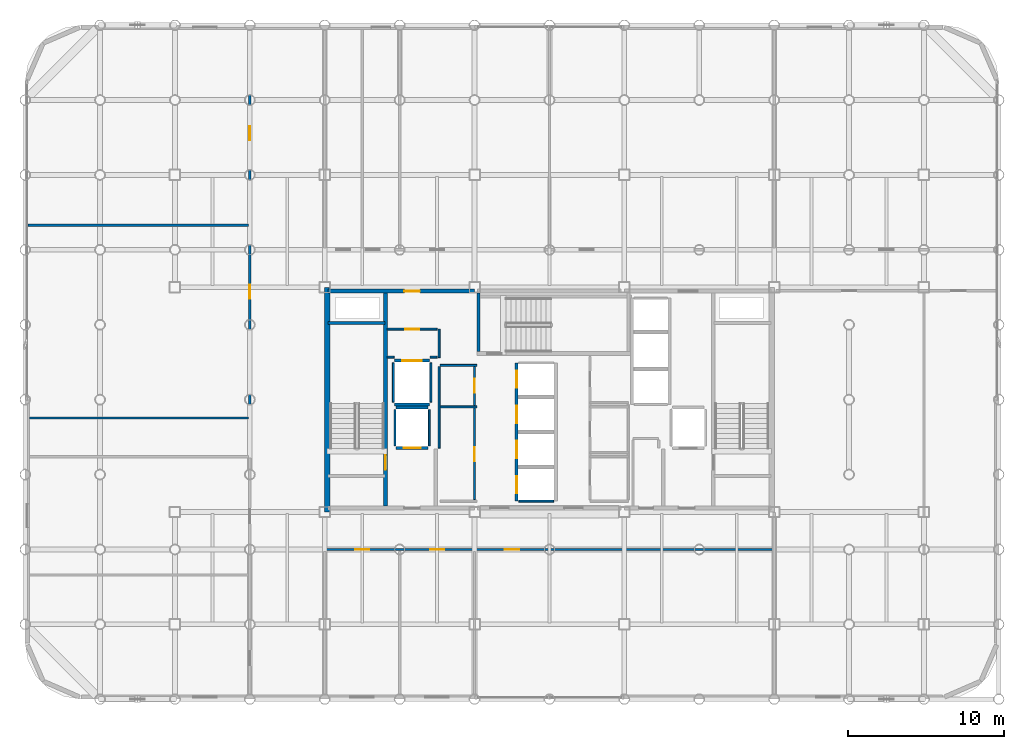
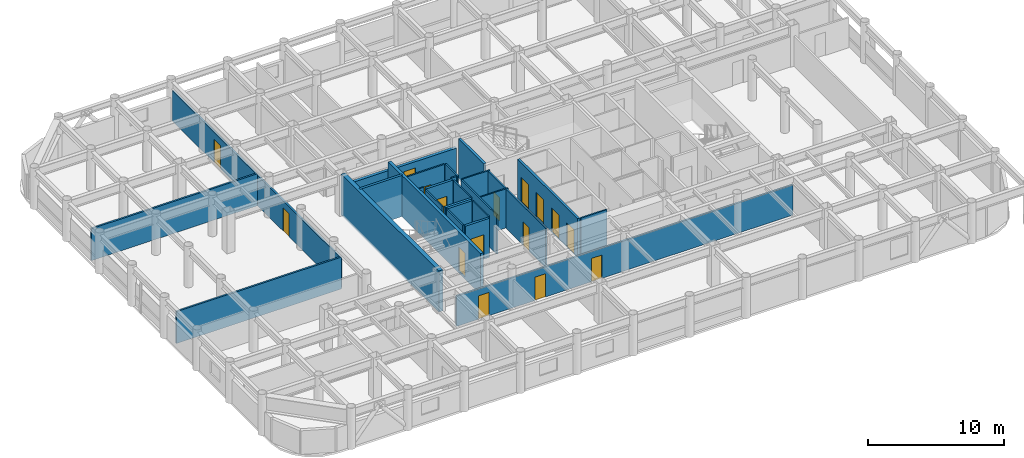
# One storey, part 16 of 19: 27 walls, 16 doors, 16 openings.
"""IFC4 building model written with IfcOpenShell, lengths in metres."""

from ifc_helpers import new_model, si_unit, direction, frame, frame_2d, origin, place, context, subcontext, project, spatial, rectangle, extrude, material, layer, layer_set, type_object, element, fill, save


model = new_model("IFC4")

# Units and contexts
model_context = context("Model", 3, precision=1e-05, world=origin(), true_north=direction((0.0, 1.0)))
body_context = subcontext(model_context, "Body", "Model", "MODEL_VIEW")
ifc_project = project(units=[si_unit("LENGTHUNIT", "METRE"), si_unit("AREAUNIT", "SQUARE_METRE"), si_unit("VOLUMEUNIT", "CUBIC_METRE"), si_unit("PLANEANGLEUNIT", "RADIAN"), si_unit("MASSUNIT", "GRAM", prefix="KILO")], contexts=[model_context])

# Site, building, storey
site_placement = place(None, origin())
site = spatial("IfcSite", under=ifc_project, at=site_placement, CompositionType="ELEMENT")
building_placement = place(site_placement, origin())
building = spatial("IfcBuilding", under=site, at=building_placement, Name="Kallvorn Hotel Tower", CompositionType="ELEMENT")
storey_placement = place(building_placement, frame((0.0, 0.0, 147.0)))
storey = spatial("IfcBuildingStorey", under=building, at=storey_placement, Name="L36", CompositionType="ELEMENT", Elevation=147.0)

# Walls
ifc_material_1 = material(Name="Concrete C50/60", Category="concrete")
ifc_layer_1 = layer(ifc_material_1, 0.35009765625)
ifc_layer_set_1 = layer_set([ifc_layer_1], Name="WL_CORE_350")
wall_type_1 = type_object("IfcWallType", Name="WL_CORE_350", PredefinedType="SHEAR", material=ifc_layer_set_1)
wall_1_placement = place(storey_placement, frame((-14.239990234375, -7.199951171875, -0.179931640625), z_axis=(0.0, 0.0, 1.0), x_axis=(0.0, 1.0, 0.0)))
element("IfcWall", 1, at=wall_1_placement, inside=storey, type_object=wall_type_1, Name="L36 Core West Shear Wall", PredefinedType="SHEAR", context=body_context, shape_type="SweptSolid", body=[
    extrude(rectangle(XDim=14.39990234375, YDim=0.35009765625, at=frame_2d((7.199951171875, 0.0))), origin(), (0.0, 0.0, 1.0), 3.699951171875),
])
ifc_material_2 = material(Name="Concrete C40/50", Category="concrete")
ifc_layer_2 = layer(ifc_material_2, 0.199951171875)
ifc_layer_set_2 = layer_set([ifc_layer_2], Name="WL_HOIST_200")
wall_type_2 = type_object("IfcWallType", Name="WL_HOIST_200", PredefinedType="SOLIDWALL", material=ifc_layer_set_2)
wall_2_placement = place(storey_placement, frame((-14.199951171875, 4.89990234375, -0.179931640625), z_axis=(0.0, 0.0, 1.0), x_axis=(1.0, 0.0, 0.0)))
element("IfcWall", 2, at=wall_2_placement, inside=storey, type_object=wall_type_2, Name="L36 Stair ST1 North Wall", PredefinedType="SOLIDWALL", context=body_context, shape_type="SweptSolid", body=[
    extrude(rectangle(XDim=3.64990234375, YDim=0.199951171875, at=frame_2d((1.824951171875, 0.0))), origin(), (0.0, 0.0, 1.0), 3.699951171875),
])
wall_3_placement = place(storey_placement, frame((-4.550048828125, 3.080078125, -0.179931640625), z_axis=(0.0, 0.0, 1.0), x_axis=(0.0, 1.0, 0.0)))
element("IfcWall", 3, at=wall_3_placement, inside=storey, type_object=wall_type_2, Name="L36 Stair ST3 West Wall", PredefinedType="SOLIDWALL", context=body_context, shape_type="SweptSolid", body=[
    extrude(rectangle(XDim=3.739990234375, YDim=0.199951171875, at=frame_2d((1.8701171875, 0.0))), origin(), (0.0, 0.0, 1.0), 3.699951171875),
])

# Wall, openings, doors
wall_4_placement = place(storey_placement, frame((-2.10009765625, -6.5, 0.0), z_axis=(0.0, 0.0, 1.0), x_axis=(0.0, 1.0, 0.0)))
wall_4 = element("IfcWall", 4, at=wall_4_placement, inside=storey, type_object=wall_type_2, Name="L36 Lift Bank B2 Landing Wall", PredefinedType="SOLIDWALL", context=body_context, shape_type="SweptSolid", body=[
    extrude(rectangle(XDim=8.85009765625, YDim=0.199951171875, at=frame_2d((4.425048828125, 0.0))), origin(), (0.0, 0.0, 1.0), 3.52001953125),
])
opening_1_placement = place(wall_4_placement, frame((0.5, 0.0, 0.0)))
opening_1 = element("IfcOpeningElement", 5, at=opening_1_placement, cuts=wall_4, Name="Opening LD-PL-05", PredefinedType="OPENING", context=body_context, shape_type="SweptSolid", body=[
    extrude(rectangle(XDim=1.10009765625, YDim=2.199951171875, at=frame_2d((0.550048828125, 1.10009765625))), frame((0.0, 0.114990234375, 0.0), z_axis=(0.0, -1.0, 0.0), x_axis=(1.0, 0.0, 0.0)), (0.0, 0.0, 1.0), 0.22998046875),
])
opening_2_placement = place(wall_4_placement, frame((2.75, 0.0, 0.0)))
opening_2 = element("IfcOpeningElement", 6, at=opening_2_placement, cuts=wall_4, Name="Opening LD-PL-06", PredefinedType="OPENING", context=body_context, shape_type="SweptSolid", body=[
    extrude(rectangle(XDim=1.10009765625, YDim=2.199951171875, at=frame_2d((0.550048828125, 1.10009765625))), frame((0.0, 0.114990234375, 0.0), z_axis=(0.0, -1.0, 0.0), x_axis=(1.0, 0.0, 0.0)), (0.0, 0.0, 1.0), 0.22998046875),
])
opening_3_placement = place(wall_4_placement, frame((5.0, 0.0, 0.0)))
opening_3 = element("IfcOpeningElement", 7, at=opening_3_placement, cuts=wall_4, Name="Opening LD-PL-07", PredefinedType="OPENING", context=body_context, shape_type="SweptSolid", body=[
    extrude(rectangle(XDim=1.10009765625, YDim=2.199951171875, at=frame_2d((0.550048828125, 1.10009765625))), frame((0.0, 0.114990234375, 0.0), z_axis=(0.0, -1.0, 0.0), x_axis=(1.0, 0.0, 0.0)), (0.0, 0.0, 1.0), 0.22998046875),
])
opening_4_placement = place(wall_4_placement, frame((7.25, 0.0, 0.0)))
opening_4 = element("IfcOpeningElement", 8, at=opening_4_placement, cuts=wall_4, Name="Opening LD-PL-08", PredefinedType="OPENING", context=body_context, shape_type="SweptSolid", body=[
    extrude(rectangle(XDim=1.10009765625, YDim=2.199951171875, at=frame_2d((0.550048828125, 1.10009765625))), frame((0.0, 0.114990234375, 0.0), z_axis=(0.0, -1.0, 0.0), x_axis=(1.0, 0.0, 0.0)), (0.0, 0.0, 1.0), 0.22998046875),
])
ifc_material_3 = material(Name="Brushed stainless-steel automatic sliding lift landing door", Category="steel")
door_type_1 = type_object("IfcDoorType", Name="LD_PASS_1100x2200", OperationType="SLIDING_TO_LEFT", PredefinedType="DOOR", material=ifc_material_3)
door_1_placement = place(opening_1_placement, origin())
door_1 = element("IfcDoor", 9, at=door_1_placement, inside=storey, type_object=door_type_1, Name="L36 Lift Landing Sliding Door LD-PL-05", OperationType="SLIDING_TO_LEFT", OverallHeight=2.199951171875, OverallWidth=1.10009765625, PredefinedType="DOOR", context=body_context, shape_type="SweptSolid", body=[
    extrude(rectangle(XDim=1.10009765625, YDim=2.199951171875, at=frame_2d((0.550048828125, 1.10009765625))), frame((0.0, 0.02490234375, 0.0), z_axis=(0.0, -1.0, 0.0), x_axis=(1.0, 0.0, 0.0)), (0.0, 0.0, 1.0), 0.050048828125),
])
fill(opening_1, door_1)
door_2_placement = place(opening_2_placement, origin())
door_2 = element("IfcDoor", 10, at=door_2_placement, inside=storey, type_object=door_type_1, Name="L36 Lift Landing Sliding Door LD-PL-06", OperationType="SLIDING_TO_LEFT", OverallHeight=2.199951171875, OverallWidth=1.10009765625, PredefinedType="DOOR", context=body_context, shape_type="SweptSolid", body=[
    extrude(rectangle(XDim=1.10009765625, YDim=2.199951171875, at=frame_2d((0.550048828125, 1.10009765625))), frame((0.0, 0.02490234375, 0.0), z_axis=(0.0, -1.0, 0.0), x_axis=(1.0, 0.0, 0.0)), (0.0, 0.0, 1.0), 0.050048828125),
])
fill(opening_2, door_2)
door_3_placement = place(opening_3_placement, origin())
door_3 = element("IfcDoor", 11, at=door_3_placement, inside=storey, type_object=door_type_1, Name="L36 Lift Landing Sliding Door LD-PL-07", OperationType="SLIDING_TO_LEFT", OverallHeight=2.199951171875, OverallWidth=1.10009765625, PredefinedType="DOOR", context=body_context, shape_type="SweptSolid", body=[
    extrude(rectangle(XDim=1.10009765625, YDim=2.199951171875, at=frame_2d((0.550048828125, 1.10009765625))), frame((0.0, 0.02490234375, 0.0), z_axis=(0.0, -1.0, 0.0), x_axis=(1.0, 0.0, 0.0)), (0.0, 0.0, 1.0), 0.050048828125),
])
fill(opening_3, door_3)
door_4_placement = place(opening_4_placement, origin())
door_4 = element("IfcDoor", 12, at=door_4_placement, inside=storey, type_object=door_type_1, Name="L36 Lift Landing Sliding Door LD-PL-08", OperationType="SLIDING_TO_LEFT", OverallHeight=2.199951171875, OverallWidth=1.10009765625, PredefinedType="DOOR", context=body_context, shape_type="SweptSolid", body=[
    extrude(rectangle(XDim=1.10009765625, YDim=2.199951171875, at=frame_2d((0.550048828125, 1.10009765625))), frame((0.0, 0.02490234375, 0.0), z_axis=(0.0, -1.0, 0.0), x_axis=(1.0, 0.0, 0.0)), (0.0, 0.0, 1.0), 0.050048828125),
])
fill(opening_4, door_4)

# Wall, opening, door
wall_5_placement = place(storey_placement, frame((-9.820068359375, -3.10009765625, 0.0), z_axis=(0.0, 0.0, 1.0), x_axis=(1.0, 0.0, 0.0)))
wall_5 = element("IfcWall", 13, at=wall_5_placement, inside=storey, type_object=wall_type_2, Name="L36 FL-1 Landing Wall", PredefinedType="SOLIDWALL", context=body_context, shape_type="SweptSolid", body=[
    extrude(rectangle(XDim=2.0400390625, YDim=0.199951171875, at=frame_2d((1.02001953125, 0.0))), origin(), (0.0, 0.0, 1.0), 3.52001953125),
])
opening_5_placement = place(wall_5_placement, frame((0.469970703125, 0.0, 0.0)))
opening_5 = element("IfcOpeningElement", 14, at=opening_5_placement, cuts=wall_5, Name="Opening LD-FL-1", PredefinedType="OPENING", context=body_context, shape_type="SweptSolid", body=[
    extrude(rectangle(XDim=1.10009765625, YDim=2.199951171875, at=frame_2d((0.550048828125, 1.10009765625))), frame((0.0, 0.114990234375, 0.0), z_axis=(0.0, -1.0, 0.0), x_axis=(1.0, 0.0, 0.0)), (0.0, 0.0, 1.0), 0.22998046875),
])
door_5_placement = place(opening_5_placement, origin())
door_5 = element("IfcDoor", 15, at=door_5_placement, inside=storey, type_object=door_type_1, Name="L36 Lift Landing Sliding Door LD-FL-1", OperationType="SLIDING_TO_LEFT", OverallHeight=2.199951171875, OverallWidth=1.10009765625, PredefinedType="DOOR", context=body_context, shape_type="SweptSolid", body=[
    extrude(rectangle(XDim=1.10009765625, YDim=2.199951171875, at=frame_2d((0.550048828125, 1.10009765625))), frame((0.0, 0.02490234375, 0.0), z_axis=(0.0, -1.0, 0.0), x_axis=(1.0, 0.0, 0.0)), (0.0, 0.0, 1.0), 0.050048828125),
])
fill(opening_5, door_5)

# Wall
wall_6_placement = place(storey_placement, frame((-9.820068359375, -0.5, 0.0), z_axis=(0.0, 0.0, 1.0), x_axis=(1.0, 0.0, 0.0)))
element("IfcWall", 16, at=wall_6_placement, inside=storey, type_object=wall_type_2, Name="L36 FL-1 Rear Shaft Wall", PredefinedType="SOLIDWALL", context=body_context, shape_type="SweptSolid", body=[
    extrude(rectangle(XDim=2.0400390625, YDim=0.199951171875, at=frame_2d((1.02001953125, 0.0))), origin(), (0.0, 0.0, 1.0), 3.52001953125),
])

# Wall, opening, door
wall_7_placement = place(storey_placement, frame((-9.919921875, 2.5, 0.0), z_axis=(0.0, 0.0, 1.0), x_axis=(1.0, 0.0, 0.0)))
wall_7 = element("IfcWall", 17, at=wall_7_placement, inside=storey, type_object=wall_type_2, Name="L36 SV-01 Landing Wall", PredefinedType="SOLIDWALL", context=body_context, shape_type="SweptSolid", body=[
    extrude(rectangle(XDim=2.239990234375, YDim=0.199951171875, at=frame_2d((1.1201171875, 0.0))), origin(), (0.0, 0.0, 1.0), 3.52001953125),
])
opening_6_placement = place(wall_7_placement, frame((0.4951171875, 0.0, 0.0)))
opening_6 = element("IfcOpeningElement", 18, at=opening_6_placement, cuts=wall_7, Name="Opening LD-SV-01", PredefinedType="OPENING", context=body_context, shape_type="SweptSolid", body=[
    extrude(rectangle(XDim=1.25, YDim=2.25, at=frame_2d((0.625, 1.125))), frame((0.0, 0.114990234375, 0.0), z_axis=(0.0, -1.0, 0.0), x_axis=(1.0, 0.0, 0.0)), (0.0, 0.0, 1.0), 0.22998046875),
])
ifc_material_4 = material(Name="Brushed stainless-steel automatic sliding lift landing door", Category="steel")
door_type_2 = type_object("IfcDoorType", Name="LD_SERV_1250x2250", OperationType="SLIDING_TO_LEFT", PredefinedType="DOOR", material=ifc_material_4)
door_6_placement = place(opening_6_placement, origin())
door_6 = element("IfcDoor", 19, at=door_6_placement, inside=storey, type_object=door_type_2, Name="L36 Lift Landing Sliding Door LD-SV-01", OperationType="SLIDING_TO_LEFT", OverallHeight=2.25, OverallWidth=1.25, PredefinedType="DOOR", context=body_context, shape_type="SweptSolid", body=[
    extrude(rectangle(XDim=1.25, YDim=2.25, at=frame_2d((0.625, 1.125))), frame((0.0, 0.02490234375, 0.0), z_axis=(0.0, -1.0, 0.0), x_axis=(1.0, 0.0, 0.0)), (0.0, 0.0, 1.0), 0.050048828125),
])
fill(opening_6, door_6)

# Walls
wall_8_placement = place(storey_placement, frame((-9.919921875, -0.300048828125, 0.0), z_axis=(0.0, 0.0, 1.0), x_axis=(1.0, 0.0, 0.0)))
element("IfcWall", 20, at=wall_8_placement, inside=storey, type_object=wall_type_2, Name="L36 SV-01 Rear Shaft Wall", PredefinedType="SOLIDWALL", context=body_context, shape_type="SweptSolid", body=[
    extrude(rectangle(XDim=2.239990234375, YDim=0.199951171875, at=frame_2d((1.1201171875, 0.0))), origin(), (0.0, 0.0, 1.0), 3.52001953125),
])
ifc_material_5 = material(Name="Fire-rated double-layer acoustic gypsum drywall EI 60")
ifc_layer_3 = layer(ifc_material_5, 0.1201171875)
ifc_layer_set_3 = layer_set([ifc_layer_3], Name="WL_INT_120")
wall_type_3 = type_object("IfcWallType", Name="WL_INT_120", PredefinedType="PARTITIONING", material=ifc_layer_set_3)
wall_9_placement = place(storey_placement, frame((-1.9599609375, -6.5, 0.0), z_axis=(0.0, 0.0, 1.0), x_axis=(1.0, 0.0, 0.0)))
element("IfcWall", 21, at=wall_9_placement, inside=storey, type_object=wall_type_3, Name="L36 Lift Bank B2 South Closure Wall", PredefinedType="PARTITIONING", context=body_context, shape_type="SweptSolid", body=[
    extrude(rectangle(XDim=2.219970703125, YDim=0.1201171875, at=frame_2d((1.10986328125, 0.0))), origin(), (0.0, 0.0, 1.0), 3.52001953125),
])
for number, where, z_axis, x_axis, name in (
    (22, (-9.89990234375, -2.9599609375, 0.0), (0.0, 0.0, 1.0), (0.0, 1.0, 0.0), "L36 FL-1 West Shaft Wall"),
    (23, (-7.699951171875, -2.9599609375, 0.0), (0.0, 0.0, 1.0), (0.0, 1.0, 0.0), "L36 FL-1 East Shaft Wall"),
):
    element("IfcWall", number, at=place(storey_placement, frame(where, z_axis=z_axis, x_axis=x_axis)), inside=storey, type_object=wall_type_3, Name=name, PredefinedType="PARTITIONING", context=body_context, shape_type="SweptSolid", body=[
        extrude(rectangle(XDim=2.320068359375, YDim=0.1201171875, at=frame_2d((1.16015625, 0.0))), origin(), (0.0, 0.0, 1.0), 3.52001953125),
    ])
for number, where, z_axis, x_axis, name in (
    (24, (-10.0, -0.159912109375, 0.0), (0.0, 0.0, 1.0), (0.0, 1.0, 0.0), "L36 SV-01 West Shaft Wall"),
    (25, (-7.60009765625, -0.159912109375, 0.0), (0.0, 0.0, 1.0), (0.0, 1.0, 0.0), "L36 SV-01 East Shaft Wall"),
):
    element("IfcWall", number, at=place(storey_placement, frame(where, z_axis=z_axis, x_axis=x_axis)), inside=storey, type_object=wall_type_3, Name=name, PredefinedType="PARTITIONING", context=body_context, shape_type="SweptSolid", body=[
        extrude(rectangle(XDim=2.52001953125, YDim=0.1201171875, at=frame_2d((1.260009765625, 0.0))), origin(), (0.0, 0.0, 1.0), 3.52001953125),
    ])
for number, where, z_axis, x_axis, name in (
    (26, (-7.0, -0.466796875, 0.0), (0.0, 0.0, 1.0), (1.0, 0.0, 0.0), "L36 Recaptured Full-Depth Sommelier Store Partition"),
    (27, (-7.0, 2.199951171875, 0.0), (0.0, 0.0, 1.0), (1.0, 0.0, 0.0), "L36 Recaptured Housekeeping Prep Room Partition"),
):
    element("IfcWall", number, at=place(storey_placement, frame(where, z_axis=z_axis, x_axis=x_axis)), inside=storey, type_object=wall_type_3, Name=name, PredefinedType="PARTITIONING", context=body_context, shape_type="SweptSolid", body=[
        extrude(rectangle(XDim=2.35009765625, YDim=0.1201171875, at=frame_2d((1.175048828125, 0.0))), origin(), (0.0, 0.0, 1.0), 3.52001953125),
    ])
for number, where, z_axis, x_axis, name in (
    (28, (-10.39990234375, 2.72509765625, 0.0), (0.0, 0.0, 1.0), (1.0, 0.0, 0.0), "L36 Core Telecom and Metering Store Partition"),
    (29, (-7.639892578125, 2.72509765625, 0.0), (0.0, 0.0, 1.0), (1.0, 0.0, 0.0), "L36 Core Telecom and Metering Store Partition"),
):
    element("IfcWall", number, at=place(storey_placement, frame(where, z_axis=z_axis, x_axis=x_axis)), inside=storey, type_object=wall_type_3, Name=name, PredefinedType="PARTITIONING", context=body_context, shape_type="SweptSolid", body=[
        extrude(rectangle(XDim=0.43994140625, YDim=0.1201171875, at=frame_2d((0.219970703125, 0.0))), origin(), (0.0, 0.0, 1.0), 3.52001953125),
    ])

# Wall, opening, door
wall_10_placement = place(storey_placement, frame((-10.39990234375, 4.52001953125, 0.0), z_axis=(0.0, 0.0, 1.0), x_axis=(1.0, 0.0, 0.0)))
wall_10 = element("IfcWall", 30, at=wall_10_placement, inside=storey, type_object=wall_type_3, Name="L36 Core Telecom and Metering Store Partition", PredefinedType="PARTITIONING", context=body_context, shape_type="SweptSolid", body=[
    extrude(rectangle(XDim=3.199951171875, YDim=0.1201171875, at=frame_2d((1.60009765625, 0.0))), origin(), (0.0, 0.0, 1.0), 3.52001953125),
])
opening_7_placement = place(wall_10_placement, frame((1.14990234375, 0.0, 0.0)))
opening_7 = element("IfcOpeningElement", 31, at=opening_7_placement, cuts=wall_10, Name="Opening SVD1", PredefinedType="OPENING", context=body_context, shape_type="SweptSolid", body=[
    extrude(rectangle(XDim=0.89990234375, YDim=2.10009765625, at=frame_2d((0.449951171875, 1.050048828125))), frame((0.0, 0.074951171875, 0.0), z_axis=(0.0, -1.0, 0.0), x_axis=(1.0, 0.0, 0.0)), (0.0, 0.0, 1.0), 0.150146484375),
])
ifc_material_6 = material(Name="Galvanised painted steel fire-rated door assembly", Category="steel")
door_type_3 = type_object("IfcDoorType", Name="DR_SERV_900x2100", OperationType="NOTDEFINED", PredefinedType="DOOR", material=ifc_material_6)
door_7_placement = place(opening_7_placement, origin())
door_7 = element("IfcDoor", 32, at=door_7_placement, inside=storey, type_object=door_type_3, Name="L36 Core Telecom and Metering Store Door", OperationType="SINGLE_SWING_RIGHT", OverallHeight=2.10009765625, OverallWidth=0.89990234375, PredefinedType="DOOR", context=body_context, shape_type="SweptSolid", body=[
    extrude(rectangle(XDim=0.89990234375, YDim=2.10009765625, at=frame_2d((0.449951171875, 1.050048828125))), frame((0.0, 0.02490234375, 0.0), z_axis=(0.0, -1.0, 0.0), x_axis=(1.0, 0.0, 0.0)), (0.0, 0.0, 1.0), 0.050048828125),
])
fill(opening_7, door_7)

# Walls
wall_11_placement = place(storey_placement, frame((-7.066650390625, -3.110107421875, 0.0), z_axis=(0.0, 0.0, 1.0), x_axis=(0.0, 1.0, 0.0)))
element("IfcWall", 33, at=wall_11_placement, inside=storey, type_object=wall_type_3, Name="L36 Recaptured Full-Depth Sommelier Store Partition", PredefinedType="PARTITIONING", context=body_context, shape_type="SweptSolid", body=[
    extrude(rectangle(XDim=5.22509765625, YDim=0.1201171875, at=frame_2d((2.612548828125, 0.0))), origin(), (0.0, 0.0, 1.0), 3.52001953125),
])
wall_12_placement = place(storey_placement, frame((-7.066650390625, 2.699951171875, 0.0), z_axis=(0.0, 0.0, 1.0), x_axis=(0.0, 1.0, 0.0)))
element("IfcWall", 34, at=wall_12_placement, inside=storey, type_object=wall_type_3, Name="L36 Core Telecom and Metering Store Partition", PredefinedType="PARTITIONING", context=body_context, shape_type="SweptSolid", body=[
    extrude(rectangle(XDim=1.820068359375, YDim=0.1201171875, at=frame_2d((0.91015625, 0.0))), origin(), (0.0, 0.0, 1.0), 3.52001953125),
])

# Wall, openings, doors
wall_13_placement = place(storey_placement, frame((-4.800048828125, -6.4150390625, 0.0), z_axis=(0.0, 0.0, 1.0), x_axis=(0.0, 1.0, 0.0)))
wall_13 = element("IfcWall", 35, at=wall_13_placement, inside=storey, type_object=wall_type_3, Name="L36 Recaptured Full-Depth Sommelier Store Partition", PredefinedType="PARTITIONING", context=body_context, shape_type="SweptSolid", body=[
    extrude(rectangle(XDim=8.530029296875, YDim=0.1201171875, at=frame_2d((4.26513671875, 0.0))), origin(), (0.0, 0.0, 1.0), 3.52001953125),
])
opening_8_placement = place(wall_13_placement, frame((2.465087890625, 0.0, 0.0)))
opening_8 = element("IfcOpeningElement", 36, at=opening_8_placement, cuts=wall_13, Name="Opening SVD1", PredefinedType="OPENING", context=body_context, shape_type="SweptSolid", body=[
    extrude(rectangle(XDim=0.89990234375, YDim=2.10009765625, at=frame_2d((0.449951171875, 1.050048828125))), frame((0.0, 0.074951171875, 0.0), z_axis=(0.0, -1.0, 0.0), x_axis=(1.0, 0.0, 0.0)), (0.0, 0.0, 1.0), 0.150146484375),
])
opening_9_placement = place(wall_13_placement, frame((6.864990234375, 0.0, 0.0)))
opening_9 = element("IfcOpeningElement", 37, at=opening_9_placement, cuts=wall_13, Name="Opening SVD1", PredefinedType="OPENING", context=body_context, shape_type="SweptSolid", body=[
    extrude(rectangle(XDim=0.89990234375, YDim=2.10009765625, at=frame_2d((0.449951171875, 1.050048828125))), frame((0.0, 0.074951171875, 0.0), z_axis=(0.0, -1.0, 0.0), x_axis=(1.0, 0.0, 0.0)), (0.0, 0.0, 1.0), 0.150146484375),
])
door_8_placement = place(opening_8_placement, origin())
door_8 = element("IfcDoor", 38, at=door_8_placement, inside=storey, type_object=door_type_3, Name="L36 Recaptured Full-Depth Sommelier Store Door", OperationType="SINGLE_SWING_LEFT", OverallHeight=2.10009765625, OverallWidth=0.89990234375, PredefinedType="DOOR", context=body_context, shape_type="SweptSolid", body=[
    extrude(rectangle(XDim=0.89990234375, YDim=2.10009765625, at=frame_2d((0.449951171875, 1.050048828125))), frame((0.0, 0.02490234375, 0.0), z_axis=(0.0, -1.0, 0.0), x_axis=(1.0, 0.0, 0.0)), (0.0, 0.0, 1.0), 0.050048828125),
])
fill(opening_8, door_8)
door_9_placement = place(opening_9_placement, origin())
door_9 = element("IfcDoor", 39, at=door_9_placement, inside=storey, type_object=door_type_3, Name="L36 Recaptured Housekeeping Prep Room Door", OperationType="SINGLE_SWING_RIGHT", OverallHeight=2.10009765625, OverallWidth=0.89990234375, PredefinedType="DOOR", context=body_context, shape_type="SweptSolid", body=[
    extrude(rectangle(XDim=0.89990234375, YDim=2.10009765625, at=frame_2d((0.449951171875, 1.050048828125))), frame((0.0, 0.02490234375, 0.0), z_axis=(0.0, -1.0, 0.0), x_axis=(1.0, 0.0, 0.0)), (0.0, 0.0, 1.0), 0.050048828125),
])
fill(opening_9, door_9)

ifc_material_7 = material(Name="Fire-rated double-layer acoustic gypsum drywall EI 60")
ifc_layer_4 = layer(ifc_material_7, 0.14990234375)
ifc_layer_set_4 = layer_set([ifc_layer_4], Name="WL_PART_150")
wall_type_4 = type_object("IfcWallType", Name="WL_PART_150", PredefinedType="PARTITIONING", material=ifc_layer_set_4)
wall_14_placement = place(storey_placement, frame((-14.320068359375, -9.60009765625, 0.0), z_axis=(0.0, 0.0, 1.0), x_axis=(1.0, 0.0, 0.0)))
wall_14 = element("IfcWall", 40, at=wall_14_placement, inside=storey, type_object=wall_type_4, Name="L36 L36 Thermal Hydrotherapy Treatment Suite 1-1 Partition", PredefinedType="PARTITIONING", context=body_context, shape_type="SweptSolid", body=[
    extrude(rectangle(XDim=28.64013671875, YDim=0.14990234375, at=frame_2d((14.320068359375, 0.0))), origin(), (0.0, 0.0, 1.0), 2.719970703125),
])
opening_10_placement = place(wall_14_placement, frame((1.8701171875, 0.0, 0.0)))
opening_10 = element("IfcOpeningElement", 41, at=opening_10_placement, cuts=wall_14, Name="Opening SVD1", PredefinedType="OPENING", context=body_context, shape_type="SweptSolid", body=[
    extrude(rectangle(XDim=0.89990234375, YDim=2.10009765625, at=frame_2d((0.449951171875, 1.050048828125))), frame((0.0, 0.08984375, 0.0), z_axis=(0.0, -1.0, 0.0), x_axis=(1.0, 0.0, 0.0)), (0.0, 0.0, 1.0), 0.179931640625),
])
opening_11_placement = place(wall_14_placement, frame((6.669921875, 0.0, 0.0)))
opening_11 = element("IfcOpeningElement", 42, at=opening_11_placement, cuts=wall_14, Name="Opening SVD1", PredefinedType="OPENING", context=body_context, shape_type="SweptSolid", body=[
    extrude(rectangle(XDim=0.89990234375, YDim=2.10009765625, at=frame_2d((0.449951171875, 1.050048828125))), frame((0.0, 0.08984375, 0.0), z_axis=(0.0, -1.0, 0.0), x_axis=(1.0, 0.0, 0.0)), (0.0, 0.0, 1.0), 0.179931640625),
])
opening_12_placement = place(wall_14_placement, frame((11.469970703125, 0.0, 0.0)))
opening_12 = element("IfcOpeningElement", 43, at=opening_12_placement, cuts=wall_14, Name="Opening SVD1", PredefinedType="OPENING", context=body_context, shape_type="SweptSolid", body=[
    extrude(rectangle(XDim=0.89990234375, YDim=2.10009765625, at=frame_2d((0.449951171875, 1.050048828125))), frame((0.0, 0.08984375, 0.0), z_axis=(0.0, -1.0, 0.0), x_axis=(1.0, 0.0, 0.0)), (0.0, 0.0, 1.0), 0.179931640625),
])
door_10_placement = place(opening_10_placement, origin())
door_10 = element("IfcDoor", 44, at=door_10_placement, inside=storey, type_object=door_type_3, Name="L36 L36 Thermal Hydrotherapy Treatment Suite 1-1 Door", OperationType="SINGLE_SWING_RIGHT", OverallHeight=2.10009765625, OverallWidth=0.89990234375, PredefinedType="DOOR", context=body_context, shape_type="SweptSolid", body=[
    extrude(rectangle(XDim=0.89990234375, YDim=2.10009765625, at=frame_2d((0.449951171875, 1.050048828125))), frame((0.0, 0.02490234375, 0.0), z_axis=(0.0, -1.0, 0.0), x_axis=(1.0, 0.0, 0.0)), (0.0, 0.0, 1.0), 0.050048828125),
])
fill(opening_10, door_10)
door_11_placement = place(opening_11_placement, origin())
door_11 = element("IfcDoor", 45, at=door_11_placement, inside=storey, type_object=door_type_3, Name="L36 L36 Thermal Hydrotherapy Treatment Suite 1-2 Door", OperationType="SINGLE_SWING_LEFT", OverallHeight=2.10009765625, OverallWidth=0.89990234375, PredefinedType="DOOR", context=body_context, shape_type="SweptSolid", body=[
    extrude(rectangle(XDim=0.89990234375, YDim=2.10009765625, at=frame_2d((0.449951171875, 1.050048828125))), frame((0.0, 0.02490234375, 0.0), z_axis=(0.0, -1.0, 0.0), x_axis=(1.0, 0.0, 0.0)), (0.0, 0.0, 1.0), 0.050048828125),
])
fill(opening_11, door_11)
door_12_placement = place(opening_12_placement, origin())
door_12 = element("IfcDoor", 46, at=door_12_placement, inside=storey, type_object=door_type_3, Name="L36 L36 Restaurant Culinary Catering Kitchen 2 Door", OperationType="SINGLE_SWING_LEFT", OverallHeight=2.10009765625, OverallWidth=0.89990234375, PredefinedType="DOOR", context=body_context, shape_type="SweptSolid", body=[
    extrude(rectangle(XDim=0.89990234375, YDim=2.10009765625, at=frame_2d((0.449951171875, 1.050048828125))), frame((0.0, 0.02490234375, 0.0), z_axis=(0.0, -1.0, 0.0), x_axis=(1.0, 0.0, 0.0)), (0.0, 0.0, 1.0), 0.050048828125),
])
fill(opening_12, door_12)

# Walls
wall_15_placement = place(storey_placement, frame((-33.31005859375, -1.179931640625, 0.0), z_axis=(0.0, 0.0, 1.0), x_axis=(1.0, 0.0, 0.0)))
element("IfcWall", 47, at=wall_15_placement, inside=storey, type_object=wall_type_4, Name="L36 L36 North-West Spine Pastry Cafe Partition", PredefinedType="PARTITIONING", context=body_context, shape_type="SweptSolid", body=[
    extrude(rectangle(XDim=14.030029296875, YDim=0.14990234375, at=frame_2d((7.01513671875, 0.0))), origin(), (0.0, 0.0, 1.0), 2.8701171875),
])
wall_16_placement = place(storey_placement, frame((-33.429931640625, 11.18505859375, 0.0), z_axis=(0.0, 0.0, 1.0), x_axis=(1.0, 0.0, 0.0)))
element("IfcWall", 48, at=wall_16_placement, inside=storey, type_object=wall_type_4, Name="L36 L36 North-West Facade Fitness Gymnasium Partition", PredefinedType="PARTITIONING", context=body_context, shape_type="SweptSolid", body=[
    extrude(rectangle(XDim=14.14990234375, YDim=0.14990234375, at=frame_2d((7.074951171875, 0.0))), origin(), (0.0, 0.0, 1.0), 2.8701171875),
])

# Wall, openings, doors
wall_17_placement = place(storey_placement, frame((-19.199951171875, -1.094970703125, 0.0), z_axis=(0.0, 0.0, 1.0), x_axis=(0.0, 1.0, 0.0)))
wall_17 = element("IfcWall", 49, at=wall_17_placement, inside=storey, type_object=wall_type_4, Name="L36 L36 North-West Spine Pastry Cafe Partition", PredefinedType="PARTITIONING", context=body_context, shape_type="SweptSolid", body=[
    extrude(rectangle(XDim=24.804931640625, YDim=0.14990234375, at=frame_2d((12.40234375, 0.0))), origin(), (0.0, 0.0, 1.0), 2.719970703125),
])
opening_13_placement = place(wall_17_placement, frame((7.566162109375, 0.0, 0.0)))
opening_13 = element("IfcOpeningElement", 50, at=opening_13_placement, cuts=wall_17, Name="Opening SVD1", PredefinedType="OPENING", context=body_context, shape_type="SweptSolid", body=[
    extrude(rectangle(XDim=0.89990234375, YDim=2.10009765625, at=frame_2d((0.449951171875, 1.050048828125))), frame((0.0, 0.08984375, 0.0), z_axis=(0.0, -1.0, 0.0), x_axis=(1.0, 0.0, 0.0)), (0.0, 0.0, 1.0), 0.179931640625),
])
opening_14_placement = place(wall_17_placement, frame((17.70361328125, 0.0, 0.0)))
opening_14 = element("IfcOpeningElement", 51, at=opening_14_placement, cuts=wall_17, Name="Opening SVD1", PredefinedType="OPENING", context=body_context, shape_type="SweptSolid", body=[
    extrude(rectangle(XDim=0.89990234375, YDim=2.10009765625, at=frame_2d((0.449951171875, 1.050048828125))), frame((0.0, 0.08984375, 0.0), z_axis=(0.0, -1.0, 0.0), x_axis=(1.0, 0.0, 0.0)), (0.0, 0.0, 1.0), 0.179931640625),
])
door_13_placement = place(opening_13_placement, origin())
door_13 = element("IfcDoor", 52, at=door_13_placement, inside=storey, type_object=door_type_3, Name="L36 L36 North-West Spine Pastry Cafe Door", OperationType="SINGLE_SWING_LEFT", OverallHeight=2.10009765625, OverallWidth=0.89990234375, PredefinedType="DOOR", context=body_context, shape_type="SweptSolid", body=[
    extrude(rectangle(XDim=0.89990234375, YDim=2.10009765625, at=frame_2d((0.449951171875, 1.050048828125))), frame((0.0, 0.02490234375, 0.0), z_axis=(0.0, -1.0, 0.0), x_axis=(1.0, 0.0, 0.0)), (0.0, 0.0, 1.0), 0.050048828125),
])
fill(opening_13, door_13)
door_14_placement = place(opening_14_placement, origin())
door_14 = element("IfcDoor", 53, at=door_14_placement, inside=storey, type_object=door_type_3, Name="L36 L36 North-West Facade Fitness Gymnasium Door", OperationType="SINGLE_SWING_LEFT", OverallHeight=2.10009765625, OverallWidth=0.89990234375, PredefinedType="DOOR", context=body_context, shape_type="SweptSolid", body=[
    extrude(rectangle(XDim=0.89990234375, YDim=2.10009765625, at=frame_2d((0.449951171875, 1.050048828125))), frame((0.0, 0.02490234375, 0.0), z_axis=(0.0, -1.0, 0.0), x_axis=(1.0, 0.0, 0.0)), (0.0, 0.0, 1.0), 0.050048828125),
])
fill(opening_14, door_14)

# Wall, opening, door
ifc_material_8 = material(Name="Concrete C40/50", Category="concrete")
ifc_layer_5 = layer(ifc_material_8, 0.25)
ifc_layer_set_5 = layer_set([ifc_layer_5], Name="WL_SHAFT_250")
wall_type_5 = type_object("IfcWallType", Name="WL_SHAFT_250", PredefinedType="SOLIDWALL", material=ifc_layer_set_5)
wall_18_placement = place(storey_placement, frame((-14.199951171875, 6.949951171875, 0.0), z_axis=(0.0, 0.0, 1.0), x_axis=(1.0, 0.0, 0.0)))
wall_18 = element("IfcWall", 54, at=wall_18_placement, inside=storey, type_object=wall_type_5, Name="L36 Core North-West Wall", PredefinedType="SOLIDWALL", context=body_context, shape_type="SweptSolid", body=[
    extrude(rectangle(XDim=9.39990234375, YDim=0.25, at=frame_2d((4.699951171875, 0.0))), origin(), (0.0, 0.0, 1.0), 2.719970703125),
])
opening_15_placement = place(wall_18_placement, frame((4.89990234375, 0.0, 0.0)))
opening_15 = element("IfcOpeningElement", 55, at=opening_15_placement, cuts=wall_18, Name="Opening FD1", PredefinedType="OPENING", context=body_context, shape_type="SweptSolid", body=[
    extrude(rectangle(XDim=1.0, YDim=2.14990234375, at=frame_2d((0.5, 1.074951171875))), frame((0.0, 0.139892578125, 0.0), z_axis=(0.0, -1.0, 0.0), x_axis=(1.0, 0.0, 0.0)), (0.0, 0.0, 1.0), 0.280029296875),
])
ifc_material_9 = material(Name="Galvanised painted steel fire-rated door assembly", Category="steel")
door_type_4 = type_object("IfcDoorType", Name="DR_FFL_1000x2150", OperationType="NOTDEFINED", PredefinedType="DOOR", material=ifc_material_9)
door_15_placement = place(opening_15_placement, origin())
door_15 = element("IfcDoor", 56, at=door_15_placement, inside=storey, type_object=door_type_4, Name="L36 Service Lift Lobby Door", OperationType="SINGLE_SWING_LEFT", OverallHeight=2.14990234375, OverallWidth=1.0, PredefinedType="DOOR", context=body_context, shape_type="SweptSolid", body=[
    extrude(rectangle(XDim=1.0, YDim=2.14990234375, at=frame_2d((0.5, 1.074951171875))), frame((0.0, 0.02490234375, 0.0), z_axis=(0.0, -1.0, 0.0), x_axis=(1.0, 0.0, 0.0)), (0.0, 0.0, 1.0), 0.050048828125),
])
fill(opening_15, door_15)

wall_19_placement = place(storey_placement, frame((-10.5, -6.820068359375, -0.179931640625), z_axis=(0.0, 0.0, 1.0), x_axis=(0.0, 1.0, 0.0)))
wall_19 = element("IfcWall", 57, at=wall_19_placement, inside=storey, type_object=wall_type_5, Name="L36 Stair ST1 Shaft Wall", PredefinedType="SOLIDWALL", context=body_context, shape_type="SweptSolid", body=[
    extrude(rectangle(XDim=13.64013671875, YDim=0.25, at=frame_2d((6.820068359375, 0.0))), origin(), (0.0, 0.0, 1.0), 3.699951171875),
])
opening_16_placement = place(wall_19_placement, frame((2.320068359375, 0.0, 0.179931640625)))
opening_16 = element("IfcOpeningElement", 58, at=opening_16_placement, cuts=wall_19, Name="Opening SD1", PredefinedType="OPENING", context=body_context, shape_type="SweptSolid", body=[
    extrude(rectangle(XDim=0.949951171875, YDim=2.14990234375, at=frame_2d((0.47509765625, 1.074951171875))), frame((0.0, 0.139892578125, 0.0), z_axis=(0.0, -1.0, 0.0), x_axis=(1.0, 0.0, 0.0)), (0.0, 0.0, 1.0), 0.280029296875),
])
ifc_material_10 = material(Name="Galvanised painted steel fire-rated door assembly", Category="steel")
door_type_5 = type_object("IfcDoorType", Name="DR_STAIR_950x2150", OperationType="NOTDEFINED", PredefinedType="DOOR", material=ifc_material_10)
door_16_placement = place(opening_16_placement, origin())
door_16 = element("IfcDoor", 59, at=door_16_placement, inside=storey, type_object=door_type_5, Name="L36 Exit Stair ST1 Fire Door", OperationType="SINGLE_SWING_LEFT", OverallHeight=2.14990234375, OverallWidth=0.949951171875, PredefinedType="DOOR", context=body_context, shape_type="SweptSolid", body=[
    extrude(rectangle(XDim=0.949951171875, YDim=2.14990234375, at=frame_2d((0.47509765625, 1.074951171875))), frame((0.0, 0.02490234375, 0.0), z_axis=(0.0, -1.0, 0.0), x_axis=(1.0, 0.0, 0.0)), (0.0, 0.0, 1.0), 0.050048828125),
])
fill(opening_16, door_16)

save(model, "model.ifc")
